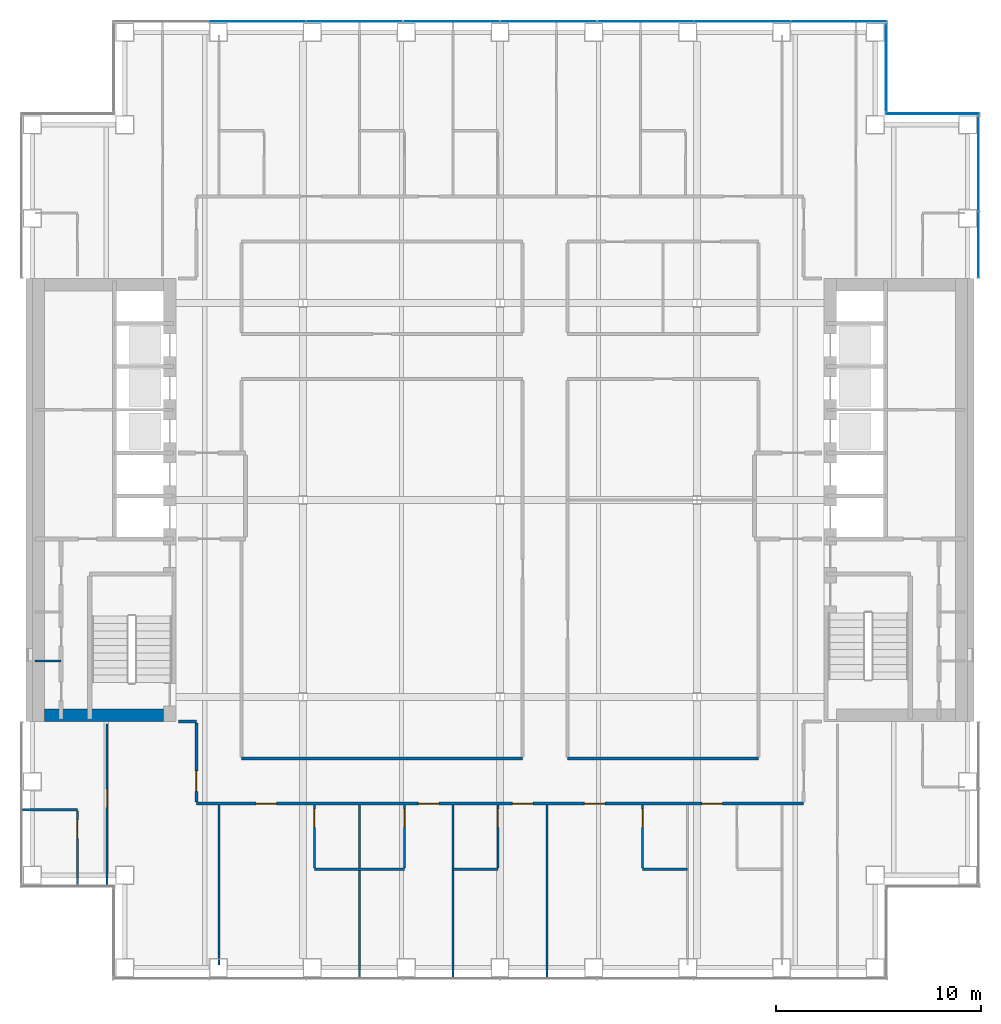
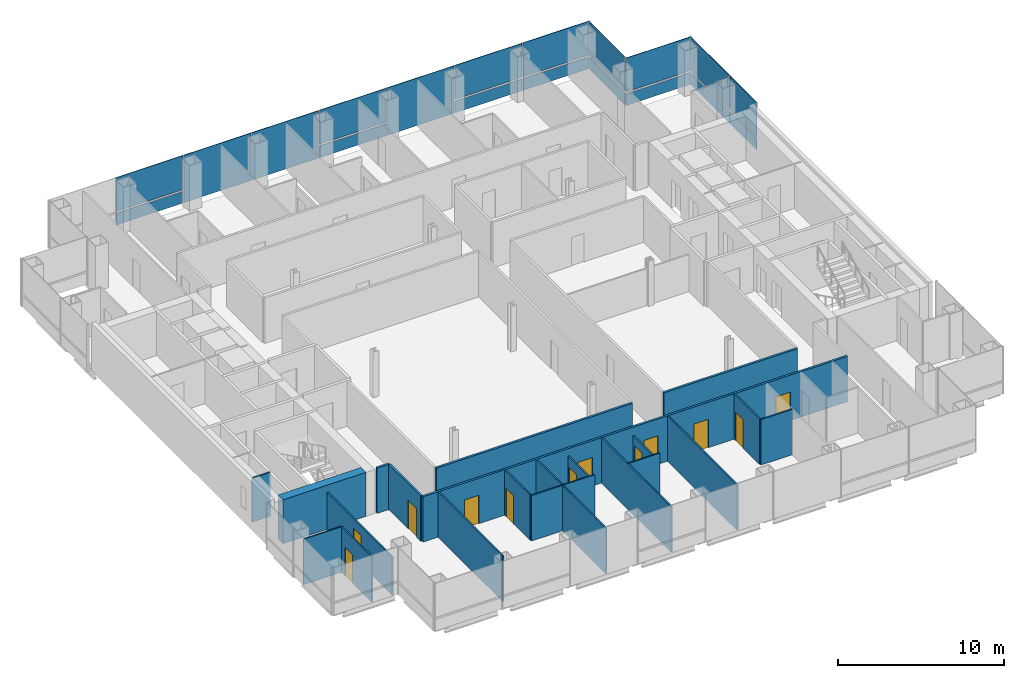
# One storey, part 10 of 16: 22 walls, 19 plates, 12 doors, 12 openings, 4 elements without a shape of their own.
"""IFC4 building model written with IfcOpenShell, lengths in metres."""

from ifc_helpers import new_model, si_unit, direction, frame, frame_2d, origin, origin_2d, place, context, subcontext, project, spatial, rectangle, extrude, material, layer, layer_set, type_object, element, fill, aggregate, save


model = new_model("IFC4")

# Units and contexts
model_context = context("Model", 3, precision=1e-05, world=origin(), true_north=direction((0.0, 1.0)))
body_context = subcontext(model_context, "Body", "Model", "MODEL_VIEW")
ifc_project = project(units=[si_unit("LENGTHUNIT", "METRE"), si_unit("AREAUNIT", "SQUARE_METRE"), si_unit("VOLUMEUNIT", "CUBIC_METRE"), si_unit("PLANEANGLEUNIT", "RADIAN"), si_unit("MASSUNIT", "GRAM", prefix="KILO")], contexts=[model_context])

# Site, building, storey
site_placement = place(None, origin())
site = spatial("IfcSite", under=ifc_project, at=site_placement, CompositionType="ELEMENT")
building_placement = place(site_placement, origin())
building = spatial("IfcBuilding", under=site, at=building_placement, Name="Cobrizo Arcos Hotel Tower", CompositionType="ELEMENT")
storey_placement = place(building_placement, frame((0.0, 0.0, 92.5)))
storey = spatial("IfcBuildingStorey", under=building, at=storey_placement, Name="L22", CompositionType="ELEMENT", Elevation=92.5)

# Curtain wall, plates
ifc_material_1 = material(Name="Aluminium 6063-T6 anodised bronze", Category="aluminium")
curtain_wall_type = type_object("IfcCurtainWallType", Name="CW-A guest facade", PredefinedType="NOTDEFINED", material=ifc_material_1)
curtain_wall_1_placement = place(storey_placement, origin())
curtain_wall_1 = element("IfcCurtainWall", 1, at=curtain_wall_1_placement, inside=storey, type_object=curtain_wall_type, Name="CW-A L22 E face", PredefinedType="NOTDEFINED")
ifc_material_2 = material(Name="Glass clear laminated low-e", Category="glass")
ifc_layer_1 = layer(ifc_material_2, 0.0400390625)
ifc_layer_set_1 = layer_set([ifc_layer_1], Name="CW-A glass panel")
plate_type_1 = type_object("IfcPlateType", Name="CW-A glass panel", PredefinedType="CURTAIN_PANEL", material=ifc_layer_set_1)
plate_1_placement = place(storey_placement, frame((23.324951171875, 12.4462890625, 0.990234375), z_axis=(0.0, 0.0, 1.0), x_axis=(0.0, 1.0, 0.0)))
plate_1 = element("IfcPlate", 2, at=plate_1_placement, type_object=plate_type_1, Name="CW-A glass panel 895", PredefinedType="CURTAIN_PANEL", context=body_context, shape_type="SweptSolid", body=[
    extrude(rectangle(XDim=3.172607421875, YDim=0.0400390625, at=origin_2d()), origin(), (0.0, 0.0, 1.0), 2.510009765625),
])
plate_2_placement = place(storey_placement, frame((23.324951171875, 16.391357421875, 0.990234375), z_axis=(0.0, 0.0, 1.0), x_axis=(0.0, 1.0, 0.0)))
plate_2 = element("IfcPlate", 3, at=plate_2_placement, type_object=plate_type_1, Name="CW-A glass panel 896", PredefinedType="CURTAIN_PANEL", context=body_context, shape_type="SweptSolid", body=[
    extrude(rectangle(XDim=4.597412109375, YDim=0.0400390625, at=origin_2d()), origin(), (0.0, 0.0, 1.0), 2.510009765625),
])

# Curtain wall, plate
curtain_wall_2_placement = place(storey_placement, origin())
curtain_wall_2 = element("IfcCurtainWall", 4, at=curtain_wall_2_placement, inside=storey, type_object=curtain_wall_type, Name="CW-A L22 N face", PredefinedType="NOTDEFINED")
plate_3_placement = place(storey_placement, frame((21.074951171875, 18.824951171875, 0.990234375), z_axis=(0.0, 0.0, 1.0), x_axis=(-1.0, 0.0, 0.0)))
plate_3 = element("IfcPlate", 5, at=plate_3_placement, type_object=plate_type_1, Name="CW-A glass panel 897", PredefinedType="CURTAIN_PANEL", context=body_context, shape_type="SweptSolid", body=[
    extrude(rectangle(XDim=4.530029296875, YDim=0.0400390625, at=origin_2d()), origin(), (0.0, 0.0, 1.0), 2.510009765625),
])

curtain_wall_3_placement = place(storey_placement, origin())
curtain_wall_3 = element("IfcCurtainWall", 6, at=curtain_wall_3_placement, inside=storey, type_object=curtain_wall_type, Name="CW-A L22 E face", PredefinedType="NOTDEFINED")
plate_4_placement = place(storey_placement, frame((18.824951171875, 21.074951171875, 0.990234375), z_axis=(0.0, 0.0, 1.0), x_axis=(0.0, 1.0, 0.0)))
plate_4 = element("IfcPlate", 7, at=plate_4_placement, type_object=plate_type_1, Name="CW-A glass panel 898", PredefinedType="CURTAIN_PANEL", context=body_context, shape_type="SweptSolid", body=[
    extrude(rectangle(XDim=4.22998046875, YDim=0.0400390625, at=origin_2d()), origin(), (0.0, 0.0, 1.0), 2.510009765625),
])

# Curtain wall, plates
curtain_wall_4_placement = place(storey_placement, origin())
curtain_wall_4 = element("IfcCurtainWall", 8, at=curtain_wall_4_placement, inside=storey, type_object=curtain_wall_type, Name="CW-A L22 N face", PredefinedType="NOTDEFINED")
plate_5_placement = place(storey_placement, frame((16.5224609375, 23.324951171875, 0.990234375), z_axis=(0.0, 0.0, 1.0), x_axis=(-1.0, 0.0, 0.0)))
plate_5 = element("IfcPlate", 9, at=plate_5_placement, type_object=plate_type_1, Name="CW-A glass panel 899", PredefinedType="CURTAIN_PANEL", context=body_context, shape_type="SweptSolid", body=[
    extrude(rectangle(XDim=4.635009765625, YDim=0.0400390625, at=origin_2d()), origin(), (0.0, 0.0, 1.0), 2.510009765625),
])
plate_6_placement = place(storey_placement, frame((11.8125, 23.324951171875, 0.990234375), z_axis=(0.0, 0.0, 1.0), x_axis=(-1.0, 0.0, 0.0)))
plate_6 = element("IfcPlate", 10, at=plate_6_placement, type_object=plate_type_1, Name="CW-A glass panel 900", PredefinedType="CURTAIN_PANEL", context=body_context, shape_type="SweptSolid", body=[
    extrude(rectangle(XDim=4.6650390625, YDim=0.0400390625, at=origin_2d()), origin(), (0.0, 0.0, 1.0), 2.510009765625),
])
plate_7_placement = place(storey_placement, frame((2.362548828125, 23.324951171875, 0.990234375), z_axis=(0.0, 0.0, 1.0), x_axis=(-1.0, 0.0, 0.0)))
plate_7 = element("IfcPlate", 11, at=plate_7_placement, type_object=plate_type_1, Name="CW-A glass panel 902", PredefinedType="CURTAIN_PANEL", context=body_context, shape_type="SweptSolid", body=[
    extrude(rectangle(XDim=4.6650390625, YDim=0.0400390625, at=origin_2d()), origin(), (0.0, 0.0, 1.0), 2.510009765625),
])
plate_8_placement = place(storey_placement, frame((-11.8125, 23.324951171875, 0.990234375), z_axis=(0.0, 0.0, 1.0), x_axis=(-1.0, 0.0, 0.0)))
plate_8 = element("IfcPlate", 12, at=plate_8_placement, type_object=plate_type_1, Name="CW-A glass panel 905", PredefinedType="CURTAIN_PANEL", context=body_context, shape_type="SweptSolid", body=[
    extrude(rectangle(XDim=4.6650390625, YDim=0.0400390625, at=origin_2d()), origin(), (0.0, 0.0, 1.0), 2.510009765625),
])

# Plate
ifc_material_3 = material(Name="Aluminium composite panel pale metal", Category="aluminium")
ifc_layer_2 = layer(ifc_material_3, 0.0400390625)
ifc_layer_set_2 = layer_set([ifc_layer_2], Name="CW-A spandrel panel")
plate_type_2 = type_object("IfcPlateType", Name="CW-A spandrel panel", PredefinedType="CURTAIN_PANEL", material=ifc_layer_set_2)
plate_9_placement = place(storey_placement, frame((23.324951171875, 12.4462890625, 0.0), z_axis=(0.0, 0.0, 1.0), x_axis=(0.0, 1.0, 0.0)))
plate_9 = element("IfcPlate", 13, at=plate_9_placement, type_object=plate_type_2, Name="CW-A spandrel panel 895", PredefinedType="CURTAIN_PANEL", context=body_context, shape_type="SweptSolid", body=[
    extrude(rectangle(XDim=3.172607421875, YDim=0.0400390625, at=origin_2d()), origin(), (0.0, 0.0, 1.0), 0.8701171875),
])

plate_10_placement = place(storey_placement, frame((23.324951171875, 16.391357421875, 0.0), z_axis=(0.0, 0.0, 1.0), x_axis=(0.0, 1.0, 0.0)))
plate_10 = element("IfcPlate", 14, at=plate_10_placement, type_object=plate_type_2, Name="CW-A spandrel panel 896", PredefinedType="CURTAIN_PANEL", context=body_context, shape_type="SweptSolid", body=[
    extrude(rectangle(XDim=4.597412109375, YDim=0.0400390625, at=origin_2d()), origin(), (0.0, 0.0, 1.0), 0.8701171875),
])

aggregate(curtain_wall_1, [plate_9, plate_1, plate_10, plate_2])

plate_11_placement = place(storey_placement, frame((21.074951171875, 18.824951171875, 0.0), z_axis=(0.0, 0.0, 1.0), x_axis=(-1.0, 0.0, 0.0)))
plate_11 = element("IfcPlate", 15, at=plate_11_placement, type_object=plate_type_2, Name="CW-A spandrel panel 897", PredefinedType="CURTAIN_PANEL", context=body_context, shape_type="SweptSolid", body=[
    extrude(rectangle(XDim=4.530029296875, YDim=0.0400390625, at=origin_2d()), origin(), (0.0, 0.0, 1.0), 0.8701171875),
])

aggregate(curtain_wall_2, [plate_11, plate_3])

plate_12_placement = place(storey_placement, frame((18.824951171875, 21.074951171875, 0.0), z_axis=(0.0, 0.0, 1.0), x_axis=(0.0, 1.0, 0.0)))
plate_12 = element("IfcPlate", 16, at=plate_12_placement, type_object=plate_type_2, Name="CW-A spandrel panel 898", PredefinedType="CURTAIN_PANEL", context=body_context, shape_type="SweptSolid", body=[
    extrude(rectangle(XDim=4.22998046875, YDim=0.0400390625, at=origin_2d()), origin(), (0.0, 0.0, 1.0), 0.8701171875),
])

aggregate(curtain_wall_3, [plate_12, plate_4])

plate_13_placement = place(storey_placement, frame((16.5224609375, 23.324951171875, 0.0), z_axis=(0.0, 0.0, 1.0), x_axis=(-1.0, 0.0, 0.0)))
plate_13 = element("IfcPlate", 17, at=plate_13_placement, type_object=plate_type_2, Name="CW-A spandrel panel 899", PredefinedType="CURTAIN_PANEL", context=body_context, shape_type="SweptSolid", body=[
    extrude(rectangle(XDim=4.635009765625, YDim=0.0400390625, at=origin_2d()), origin(), (0.0, 0.0, 1.0), 0.8701171875),
])

plate_14_placement = place(storey_placement, frame((11.8125, 23.324951171875, 0.0), z_axis=(0.0, 0.0, 1.0), x_axis=(-1.0, 0.0, 0.0)))
plate_14 = element("IfcPlate", 18, at=plate_14_placement, type_object=plate_type_2, Name="CW-A spandrel panel 900", PredefinedType="CURTAIN_PANEL", context=body_context, shape_type="SweptSolid", body=[
    extrude(rectangle(XDim=4.6650390625, YDim=0.0400390625, at=origin_2d()), origin(), (0.0, 0.0, 1.0), 0.8701171875),
])

plate_15_placement = place(storey_placement, frame((7.08740234375, 23.324951171875, 0.0), z_axis=(0.0, 0.0, 1.0), x_axis=(-1.0, 0.0, 0.0)))
plate_15 = element("IfcPlate", 19, at=plate_15_placement, type_object=plate_type_2, Name="CW-A spandrel panel 901", PredefinedType="CURTAIN_PANEL", context=body_context, shape_type="SweptSolid", body=[
    extrude(rectangle(XDim=4.6650390625, YDim=0.0400390625, at=origin_2d()), origin(), (0.0, 0.0, 1.0), 3.5),
])

plate_16_placement = place(storey_placement, frame((2.362548828125, 23.324951171875, 0.0), z_axis=(0.0, 0.0, 1.0), x_axis=(-1.0, 0.0, 0.0)))
plate_16 = element("IfcPlate", 20, at=plate_16_placement, type_object=plate_type_2, Name="CW-A spandrel panel 902", PredefinedType="CURTAIN_PANEL", context=body_context, shape_type="SweptSolid", body=[
    extrude(rectangle(XDim=4.6650390625, YDim=0.0400390625, at=origin_2d()), origin(), (0.0, 0.0, 1.0), 0.8701171875),
])

plate_17_placement = place(storey_placement, frame((-2.362548828125, 23.324951171875, 0.0), z_axis=(0.0, 0.0, 1.0), x_axis=(-1.0, 0.0, 0.0)))
plate_17 = element("IfcPlate", 21, at=plate_17_placement, type_object=plate_type_2, Name="CW-A spandrel panel 903", PredefinedType="CURTAIN_PANEL", context=body_context, shape_type="SweptSolid", body=[
    extrude(rectangle(XDim=4.6650390625, YDim=0.0400390625, at=origin_2d()), origin(), (0.0, 0.0, 1.0), 3.5),
])

plate_18_placement = place(storey_placement, frame((-7.08740234375, 23.324951171875, 0.0), z_axis=(0.0, 0.0, 1.0), x_axis=(-1.0, 0.0, 0.0)))
plate_18 = element("IfcPlate", 22, at=plate_18_placement, type_object=plate_type_2, Name="CW-A spandrel panel 904", PredefinedType="CURTAIN_PANEL", context=body_context, shape_type="SweptSolid", body=[
    extrude(rectangle(XDim=4.6650390625, YDim=0.0400390625, at=origin_2d()), origin(), (0.0, 0.0, 1.0), 3.5),
])

plate_19_placement = place(storey_placement, frame((-11.8125, 23.324951171875, 0.0), z_axis=(0.0, 0.0, 1.0), x_axis=(-1.0, 0.0, 0.0)))
plate_19 = element("IfcPlate", 23, at=plate_19_placement, type_object=plate_type_2, Name="CW-A spandrel panel 905", PredefinedType="CURTAIN_PANEL", context=body_context, shape_type="SweptSolid", body=[
    extrude(rectangle(XDim=4.6650390625, YDim=0.0400390625, at=origin_2d()), origin(), (0.0, 0.0, 1.0), 0.8701171875),
])

aggregate(curtain_wall_4, [plate_13, plate_5, plate_14, plate_6, plate_15, plate_16, plate_7, plate_17, plate_18, plate_19, plate_8])

# Wall, openings, doors
ifc_material_4 = material(Name="Gypsum board partition")
ifc_layer_3 = layer(ifc_material_4, 0.14990234375)
ifc_layer_set_3 = layer_set([ifc_layer_3], Name="Corridor wall EI 60 150")
wall_type_1 = type_object("IfcWallType", Name="Corridor wall EI 60 150", PredefinedType="PARTITIONING", material=ifc_layer_set_3)
wall_1_placement = place(storey_placement, frame((-14.800048828125, -14.800048828125, 0.0), z_axis=(0.0, 0.0, 1.0), x_axis=(1.0, 0.0, 0.0)))
wall_1 = element("IfcWall", 24, at=wall_1_placement, inside=storey, type_object=wall_type_1, Name="Partition 006", PredefinedType="PARTITIONING", context=body_context, shape_type="SweptSolid", body=[
    extrude(rectangle(XDim=29.60009765625, YDim=0.14990234375, at=frame_2d((14.800048828125, 0.0))), origin(), (0.0, 0.0, 1.0), 3.35009765625),
])
opening_1_placement = place(wall_1_placement, frame((2.906982421875, 0.0, 0.0)))
opening_1 = element("IfcOpeningElement", 25, at=opening_1_placement, cuts=wall_1, Name="Opening GD-05", PredefinedType="OPENING", context=body_context, shape_type="SweptSolid", body=[
    extrude(rectangle(XDim=1.0, YDim=2.10009765625, at=frame_2d((0.5, 1.050048828125))), frame((0.0, 0.0869140625, 0.0), z_axis=(0.0, -1.0, 0.0), x_axis=(1.0, 0.0, 0.0)), (0.0, 0.0, 1.0), 0.173828125),
])
opening_2_placement = place(wall_1_placement, frame((10.825927734375, 0.0, 0.0)))
opening_2 = element("IfcOpeningElement", 26, at=opening_2_placement, cuts=wall_1, Name="Opening GD-06", PredefinedType="OPENING", context=body_context, shape_type="SweptSolid", body=[
    extrude(rectangle(XDim=1.0, YDim=2.10009765625, at=frame_2d((0.5, 1.050048828125))), frame((0.0, 0.0869140625, 0.0), z_axis=(0.0, -1.0, 0.0), x_axis=(1.0, 0.0, 0.0)), (0.0, 0.0, 1.0), 0.173828125),
])
opening_3_placement = place(wall_1_placement, frame((15.40087890625, 0.0, 0.0)))
opening_3 = element("IfcOpeningElement", 27, at=opening_3_placement, cuts=wall_1, Name="Opening GD-07", PredefinedType="OPENING", context=body_context, shape_type="SweptSolid", body=[
    extrude(rectangle(XDim=1.0, YDim=2.10009765625, at=frame_2d((0.5, 1.050048828125))), frame((0.0, 0.0869140625, 0.0), z_axis=(0.0, -1.0, 0.0), x_axis=(1.0, 0.0, 0.0)), (0.0, 0.0, 1.0), 0.173828125),
])
opening_4_placement = place(wall_1_placement, frame((18.9189453125, 0.0, 0.0)))
opening_4 = element("IfcOpeningElement", 28, at=opening_4_placement, cuts=wall_1, Name="Opening GD-08", PredefinedType="OPENING", context=body_context, shape_type="SweptSolid", body=[
    extrude(rectangle(XDim=1.0, YDim=2.10009765625, at=frame_2d((0.5, 1.050048828125))), frame((0.0, 0.0869140625, 0.0), z_axis=(0.0, -1.0, 0.0), x_axis=(1.0, 0.0, 0.0)), (0.0, 0.0, 1.0), 0.173828125),
])
opening_5_placement = place(wall_1_placement, frame((24.637939453125, 0.0, 0.0)))
opening_5 = element("IfcOpeningElement", 29, at=opening_5_placement, cuts=wall_1, Name="Opening GD-09", PredefinedType="OPENING", context=body_context, shape_type="SweptSolid", body=[
    extrude(rectangle(XDim=1.0, YDim=2.10009765625, at=frame_2d((0.5, 1.050048828125))), frame((0.0, 0.0869140625, 0.0), z_axis=(0.0, -1.0, 0.0), x_axis=(1.0, 0.0, 0.0)), (0.0, 0.0, 1.0), 0.173828125),
])
ifc_material_5 = material(Name="Timber door leaf", Category="wood")
door_type_1 = type_object("IfcDoorType", Name="Guest room door FD30S 1000x2100", OperationType="SINGLE_SWING_LEFT", PredefinedType="DOOR", material=ifc_material_5)
door_1_placement = place(opening_1_placement, origin())
door_1 = element("IfcDoor", 30, at=door_1_placement, inside=storey, type_object=door_type_1, Name="Door GD-05", OperationType="SINGLE_SWING_LEFT", OverallHeight=2.10009765625, OverallWidth=1.0, PredefinedType="DOOR", context=body_context, shape_type="SweptSolid", body=[
    extrude(rectangle(XDim=1.0, YDim=2.10009765625, at=frame_2d((0.5, 1.050048828125))), frame((0.0, 0.02490234375, 0.0), z_axis=(0.0, -1.0, 0.0), x_axis=(1.0, 0.0, 0.0)), (0.0, 0.0, 1.0), 0.050048828125),
])
fill(opening_1, door_1)
door_2_placement = place(opening_2_placement, origin())
door_2 = element("IfcDoor", 31, at=door_2_placement, inside=storey, type_object=door_type_1, Name="Door GD-06", OperationType="SINGLE_SWING_LEFT", OverallHeight=2.10009765625, OverallWidth=1.0, PredefinedType="DOOR", context=body_context, shape_type="SweptSolid", body=[
    extrude(rectangle(XDim=1.0, YDim=2.10009765625, at=frame_2d((0.5, 1.050048828125))), frame((0.0, 0.02490234375, 0.0), z_axis=(0.0, -1.0, 0.0), x_axis=(1.0, 0.0, 0.0)), (0.0, 0.0, 1.0), 0.050048828125),
])
fill(opening_2, door_2)
door_3_placement = place(opening_3_placement, origin())
door_3 = element("IfcDoor", 32, at=door_3_placement, inside=storey, type_object=door_type_1, Name="Door GD-07", OperationType="SINGLE_SWING_LEFT", OverallHeight=2.10009765625, OverallWidth=1.0, PredefinedType="DOOR", context=body_context, shape_type="SweptSolid", body=[
    extrude(rectangle(XDim=1.0, YDim=2.10009765625, at=frame_2d((0.5, 1.050048828125))), frame((0.0, 0.02490234375, 0.0), z_axis=(0.0, -1.0, 0.0), x_axis=(1.0, 0.0, 0.0)), (0.0, 0.0, 1.0), 0.050048828125),
])
fill(opening_3, door_3)
door_4_placement = place(opening_4_placement, origin())
door_4 = element("IfcDoor", 33, at=door_4_placement, inside=storey, type_object=door_type_1, Name="Door GD-08", OperationType="SINGLE_SWING_LEFT", OverallHeight=2.10009765625, OverallWidth=1.0, PredefinedType="DOOR", context=body_context, shape_type="SweptSolid", body=[
    extrude(rectangle(XDim=1.0, YDim=2.10009765625, at=frame_2d((0.5, 1.050048828125))), frame((0.0, 0.02490234375, 0.0), z_axis=(0.0, -1.0, 0.0), x_axis=(1.0, 0.0, 0.0)), (0.0, 0.0, 1.0), 0.050048828125),
])
fill(opening_4, door_4)
door_5_placement = place(opening_5_placement, origin())
door_5 = element("IfcDoor", 34, at=door_5_placement, inside=storey, type_object=door_type_1, Name="Door GD-09", OperationType="SINGLE_SWING_LEFT", OverallHeight=2.10009765625, OverallWidth=1.0, PredefinedType="DOOR", context=body_context, shape_type="SweptSolid", body=[
    extrude(rectangle(XDim=1.0, YDim=2.10009765625, at=frame_2d((0.5, 1.050048828125))), frame((0.0, 0.02490234375, 0.0), z_axis=(0.0, -1.0, 0.0), x_axis=(1.0, 0.0, 0.0)), (0.0, 0.0, 1.0), 0.050048828125),
])
fill(opening_5, door_5)

# Walls
wall_2_placement = place(storey_placement, frame((-12.60009765625, -12.60009765625, 0.0), z_axis=(0.0, 0.0, 1.0), x_axis=(1.0, 0.0, 0.0)))
element("IfcWall", 35, at=wall_2_placement, inside=storey, type_object=wall_type_1, Name="Partition 008", PredefinedType="PARTITIONING", context=body_context, shape_type="SweptSolid", body=[
    extrude(rectangle(XDim=13.7001953125, YDim=0.14990234375, at=frame_2d((6.85009765625, 0.0))), origin(), (0.0, 0.0, 1.0), 3.35009765625),
])
wall_3_placement = place(storey_placement, frame((3.300048828125, -12.60009765625, 0.0), z_axis=(0.0, 0.0, 1.0), x_axis=(1.0, 0.0, 0.0)))
element("IfcWall", 36, at=wall_3_placement, inside=storey, type_object=wall_type_1, Name="Partition 009", PredefinedType="PARTITIONING", context=body_context, shape_type="SweptSolid", body=[
    extrude(rectangle(XDim=9.300048828125, YDim=0.14990234375, at=frame_2d((4.64990234375, 0.0))), origin(), (0.0, 0.0, 1.0), 3.35009765625),
])
wall_4_placement = place(storey_placement, frame((-15.679931640625, -10.800048828125, 0.0), z_axis=(0.0, 0.0, 1.0), x_axis=(1.0, 0.0, 0.0)))
element("IfcWall", 37, at=wall_4_placement, inside=storey, type_object=wall_type_1, Name="Partition 010", PredefinedType="PARTITIONING", context=body_context, shape_type="SweptSolid", body=[
    extrude(rectangle(XDim=0.8798828125, YDim=0.14990234375, at=frame_2d((0.43994140625, 0.0))), origin(), (0.0, 0.0, 1.0), 3.35009765625),
])

# Wall, opening, door
wall_5_placement = place(storey_placement, frame((-14.800048828125, -14.72509765625, 0.0), z_axis=(0.0, 0.0, 1.0), x_axis=(0.0, 1.0, 0.0)))
wall_5 = element("IfcWall", 38, at=wall_5_placement, inside=storey, type_object=wall_type_1, Name="Partition 060", PredefinedType="PARTITIONING", context=body_context, shape_type="SweptSolid", body=[
    extrude(rectangle(XDim=3.85009765625, YDim=0.14990234375, at=frame_2d((1.925048828125, 0.0))), origin(), (0.0, 0.0, 1.0), 3.35009765625),
])
opening_6_placement = place(wall_5_placement, frame((0.52490234375, 0.0, 0.0)))
opening_6 = element("IfcOpeningElement", 39, at=opening_6_placement, cuts=wall_5, Name="Opening GD-10", PredefinedType="OPENING", context=body_context, shape_type="SweptSolid", body=[
    extrude(rectangle(XDim=1.0, YDim=2.10009765625, at=frame_2d((0.5, 1.050048828125))), frame((0.0, 0.0869140625, 0.0), z_axis=(0.0, -1.0, 0.0), x_axis=(1.0, 0.0, 0.0)), (0.0, 0.0, 1.0), 0.173828125),
])
door_6_placement = place(opening_6_placement, origin())
door_6 = element("IfcDoor", 40, at=door_6_placement, inside=storey, type_object=door_type_1, Name="Door GD-10", OperationType="SINGLE_SWING_RIGHT", OverallHeight=2.10009765625, OverallWidth=1.0, PredefinedType="DOOR", context=body_context, shape_type="SweptSolid", body=[
    extrude(rectangle(XDim=1.0, YDim=2.10009765625, at=frame_2d((0.5, 1.050048828125))), frame((0.0, 0.02490234375, 0.0), z_axis=(0.0, -1.0, 0.0), x_axis=(1.0, 0.0, 0.0)), (0.0, 0.0, 1.0), 0.050048828125),
])
fill(opening_6, door_6)

# Walls
ifc_layer_4 = layer(ifc_material_4, 0.10009765625)
ifc_layer_set_4 = layer_set([ifc_layer_4], Name="Partition EI 30 100")
wall_type_2 = type_object("IfcWallType", Name="Partition EI 30 100", PredefinedType="PARTITIONING", material=ifc_layer_set_4)
wall_6_placement = place(storey_placement, frame((-9.050048828125, -18.0, 0.0), z_axis=(0.0, 0.0, 1.0), x_axis=(1.0, 0.0, 0.0)))
element("IfcWall", 41, at=wall_6_placement, inside=storey, type_object=wall_type_2, Name="Partition 001", PredefinedType="PARTITIONING", context=body_context, shape_type="SweptSolid", body=[
    extrude(rectangle(XDim=4.400146484375, YDim=0.10009765625, at=frame_2d((2.2001953125, 0.0))), origin(), (0.0, 0.0, 1.0), 3.35009765625),
])
for number, where, z_axis, x_axis, name in (
    (42, (-2.300048828125, -18.0, 0.0), (0.0, 0.0, 1.0), (1.0, 0.0, 0.0), "Partition 002"),
    (43, (6.949951171875, -18.0, 0.0), (0.0, 0.0, 1.0), (1.0, 0.0, 0.0), "Partition 003"),
):
    element("IfcWall", number, at=place(storey_placement, frame(where, z_axis=z_axis, x_axis=x_axis)), inside=storey, type_object=wall_type_2, Name=name, PredefinedType="PARTITIONING", context=body_context, shape_type="SweptSolid", body=[
        extrude(rectangle(XDim=2.199951171875, YDim=0.10009765625, at=frame_2d((1.10009765625, 0.0))), origin(), (0.0, 0.0, 1.0), 3.35009765625),
    ])
wall_7_placement = place(storey_placement, frame((-23.280029296875, -15.10009765625, 0.0), z_axis=(0.0, 0.0, 1.0), x_axis=(1.0, 0.0, 0.0)))
element("IfcWall", 44, at=wall_7_placement, inside=storey, type_object=wall_type_2, Name="Partition 005", PredefinedType="PARTITIONING", context=body_context, shape_type="SweptSolid", body=[
    extrude(rectangle(XDim=2.679931640625, YDim=0.10009765625, at=frame_2d((1.33984375, 0.0))), origin(), (0.0, 0.0, 1.0), 3.35009765625),
])
wall_8_placement = place(storey_placement, frame((-22.679931640625, -7.85009765625, 0.0), z_axis=(0.0, 0.0, 1.0), x_axis=(1.0, 0.0, 0.0)))
element("IfcWall", 45, at=wall_8_placement, inside=storey, type_object=wall_type_2, Name="Partition 012", PredefinedType="PARTITIONING", context=body_context, shape_type="SweptSolid", body=[
    extrude(rectangle(XDim=1.280029296875, YDim=0.10009765625, at=frame_2d((0.64013671875, 0.0))), origin(), (0.0, 0.0, 1.0), 3.25),
])

# Wall, opening, door
wall_9_placement = place(storey_placement, frame((-20.60009765625, -18.780029296875, 0.0), z_axis=(0.0, 0.0, 1.0), x_axis=(0.0, 1.0, 0.0)))
wall_9 = element("IfcWall", 46, at=wall_9_placement, inside=storey, type_object=wall_type_2, Name="Partition 053", PredefinedType="PARTITIONING", context=body_context, shape_type="SweptSolid", body=[
    extrude(rectangle(XDim=3.630126953125, YDim=0.10009765625, at=frame_2d((1.81494140625, 0.0))), origin(), (0.0, 0.0, 1.0), 3.35009765625),
])
opening_7_placement = place(wall_9_placement, frame((2.27001953125, 0.0, 0.0)))
opening_7 = element("IfcOpeningElement", 47, at=opening_7_placement, cuts=wall_9, Name="Opening ED-10", PredefinedType="OPENING", context=body_context, shape_type="SweptSolid", body=[
    extrude(rectangle(XDim=0.89990234375, YDim=2.10009765625, at=frame_2d((0.449951171875, 1.050048828125))), frame((0.0, 0.06201171875, 0.0), z_axis=(0.0, -1.0, 0.0), x_axis=(1.0, 0.0, 0.0)), (0.0, 0.0, 1.0), 0.1240234375),
])
door_type_2 = type_object("IfcDoorType", Name="En-suite door 900x2100", OperationType="SINGLE_SWING_LEFT", PredefinedType="DOOR", material=ifc_material_5)
door_7_placement = place(opening_7_placement, origin())
door_7 = element("IfcDoor", 48, at=door_7_placement, inside=storey, type_object=door_type_2, Name="Door ED-10", OperationType="SINGLE_SWING_LEFT", OverallHeight=2.10009765625, OverallWidth=0.89990234375, PredefinedType="DOOR", context=body_context, shape_type="SweptSolid", body=[
    extrude(rectangle(XDim=0.89990234375, YDim=2.10009765625, at=frame_2d((0.449951171875, 1.050048828125))), frame((0.0, 0.02490234375, 0.0), z_axis=(0.0, -1.0, 0.0), x_axis=(1.0, 0.0, 0.0)), (0.0, 0.0, 1.0), 0.050048828125),
])
fill(opening_7, door_7)

wall_10_placement = place(storey_placement, frame((-19.14990234375, -18.780029296875, 0.0), z_axis=(0.0, 0.0, 1.0), x_axis=(0.0, 1.0, 0.0)))
wall_10 = element("IfcWall", 49, at=wall_10_placement, inside=storey, type_object=wall_type_2, Name="Partition 056", PredefinedType="PARTITIONING", context=body_context, shape_type="SweptSolid", body=[
    extrude(rectangle(XDim=7.860107421875, YDim=0.10009765625, at=frame_2d((3.93017578125, 0.0))), origin(), (0.0, 0.0, 1.0), 2.81689453125),
])
opening_8_placement = place(wall_10_placement, frame((3.780029296875, 0.0, 0.0)))
opening_8 = element("IfcOpeningElement", 50, at=opening_8_placement, cuts=wall_10, Name="Opening RD-12", PredefinedType="OPENING", context=body_context, shape_type="SweptSolid", body=[
    extrude(rectangle(XDim=0.89990234375, YDim=2.10009765625, at=frame_2d((0.449951171875, 1.050048828125))), frame((0.0, 0.06201171875, 0.0), z_axis=(0.0, -1.0, 0.0), x_axis=(1.0, 0.0, 0.0)), (0.0, 0.0, 1.0), 0.1240234375),
])
door_type_3 = type_object("IfcDoorType", Name="Room door FD30 900x2100", OperationType="SINGLE_SWING_LEFT", PredefinedType="DOOR", material=ifc_material_5)
door_8_placement = place(opening_8_placement, origin())
door_8 = element("IfcDoor", 51, at=door_8_placement, inside=storey, type_object=door_type_3, Name="Door RD-12", OperationType="SINGLE_SWING_LEFT", OverallHeight=2.10009765625, OverallWidth=0.89990234375, PredefinedType="DOOR", context=body_context, shape_type="SweptSolid", body=[
    extrude(rectangle(XDim=0.89990234375, YDim=2.10009765625, at=frame_2d((0.449951171875, 1.050048828125))), frame((0.0, 0.02490234375, 0.0), z_axis=(0.0, -1.0, 0.0), x_axis=(1.0, 0.0, 0.0)), (0.0, 0.0, 1.0), 0.050048828125),
])
fill(opening_8, door_8)

# Wall
wall_11_placement = place(storey_placement, frame((-13.699951171875, -22.679931640625, 0.0), z_axis=(0.0, 0.0, 1.0), x_axis=(0.0, 1.0, 0.0)))
element("IfcWall", 52, at=wall_11_placement, inside=storey, type_object=wall_type_2, Name="Partition 062", PredefinedType="PARTITIONING", context=body_context, shape_type="SweptSolid", body=[
    extrude(rectangle(XDim=7.804931640625, YDim=0.10009765625, at=frame_2d((3.90234375, 0.0))), origin(), (0.0, 0.0, 1.0), 3.35009765625),
])

# Wall, opening, door
wall_12_placement = place(storey_placement, frame((-9.050048828125, -17.949951171875, 0.0), z_axis=(0.0, 0.0, 1.0), x_axis=(0.0, 1.0, 0.0)))
wall_12 = element("IfcWall", 53, at=wall_12_placement, inside=storey, type_object=wall_type_2, Name="Partition 069", PredefinedType="PARTITIONING", context=body_context, shape_type="SweptSolid", body=[
    extrude(rectangle(XDim=3.074951171875, YDim=0.10009765625, at=frame_2d((1.53759765625, 0.0))), origin(), (0.0, 0.0, 1.0), 3.35009765625),
])
opening_9_placement = place(wall_12_placement, frame((1.99609375, 0.0, 0.0)))
opening_9 = element("IfcOpeningElement", 54, at=opening_9_placement, cuts=wall_12, Name="Opening ED-05", PredefinedType="OPENING", context=body_context, shape_type="SweptSolid", body=[
    extrude(rectangle(XDim=0.89990234375, YDim=2.10009765625, at=frame_2d((0.449951171875, 1.050048828125))), frame((0.0, 0.06201171875, 0.0), z_axis=(0.0, -1.0, 0.0), x_axis=(1.0, 0.0, 0.0)), (0.0, 0.0, 1.0), 0.1240234375),
])
door_9_placement = place(opening_9_placement, origin())
door_9 = element("IfcDoor", 55, at=door_9_placement, inside=storey, type_object=door_type_2, Name="Door ED-05", OperationType="SINGLE_SWING_RIGHT", OverallHeight=2.10009765625, OverallWidth=0.89990234375, PredefinedType="DOOR", context=body_context, shape_type="SweptSolid", body=[
    extrude(rectangle(XDim=0.89990234375, YDim=2.10009765625, at=frame_2d((0.449951171875, 1.050048828125))), frame((0.0, 0.02490234375, 0.0), z_axis=(0.0, -1.0, 0.0), x_axis=(1.0, 0.0, 0.0)), (0.0, 0.0, 1.0), 0.050048828125),
])
fill(opening_9, door_9)

# Walls
wall_13_placement = place(storey_placement, frame((-6.85009765625, -23.280029296875, 0.0), z_axis=(0.0, 0.0, 1.0), x_axis=(0.0, 1.0, 0.0)))
element("IfcWall", 56, at=wall_13_placement, inside=storey, type_object=wall_type_2, Name="Partition 070", PredefinedType="PARTITIONING", context=body_context, shape_type="SweptSolid", body=[
    extrude(rectangle(XDim=5.22998046875, YDim=0.10009765625, at=frame_2d((2.614990234375, 0.0))), origin(), (0.0, 0.0, 1.0), 3.35009765625),
])
wall_14_placement = place(storey_placement, frame((-6.85009765625, -17.949951171875, 0.0), z_axis=(0.0, 0.0, 1.0), x_axis=(0.0, 1.0, 0.0)))
element("IfcWall", 57, at=wall_14_placement, inside=storey, type_object=wall_type_2, Name="Partition 071", PredefinedType="PARTITIONING", context=body_context, shape_type="SweptSolid", body=[
    extrude(rectangle(XDim=3.074951171875, YDim=0.10009765625, at=frame_2d((1.53759765625, 0.0))), origin(), (0.0, 0.0, 1.0), 3.35009765625),
])

# Wall, opening, door
wall_15_placement = place(storey_placement, frame((-4.64990234375, -17.949951171875, 0.0), z_axis=(0.0, 0.0, 1.0), x_axis=(0.0, 1.0, 0.0)))
wall_15 = element("IfcWall", 58, at=wall_15_placement, inside=storey, type_object=wall_type_2, Name="Partition 073", PredefinedType="PARTITIONING", context=body_context, shape_type="SweptSolid", body=[
    extrude(rectangle(XDim=3.074951171875, YDim=0.10009765625, at=frame_2d((1.53759765625, 0.0))), origin(), (0.0, 0.0, 1.0), 2.81689453125),
])
opening_10_placement = place(wall_15_placement, frame((1.99609375, 0.0, 0.0)))
opening_10 = element("IfcOpeningElement", 59, at=opening_10_placement, cuts=wall_15, Name="Opening ED-06", PredefinedType="OPENING", context=body_context, shape_type="SweptSolid", body=[
    extrude(rectangle(XDim=0.89990234375, YDim=2.10009765625, at=frame_2d((0.449951171875, 1.050048828125))), frame((0.0, 0.06201171875, 0.0), z_axis=(0.0, -1.0, 0.0), x_axis=(1.0, 0.0, 0.0)), (0.0, 0.0, 1.0), 0.1240234375),
])
door_10_placement = place(opening_10_placement, origin())
door_10 = element("IfcDoor", 60, at=door_10_placement, inside=storey, type_object=door_type_2, Name="Door ED-06", OperationType="SINGLE_SWING_RIGHT", OverallHeight=2.10009765625, OverallWidth=0.89990234375, PredefinedType="DOOR", context=body_context, shape_type="SweptSolid", body=[
    extrude(rectangle(XDim=0.89990234375, YDim=2.10009765625, at=frame_2d((0.449951171875, 1.050048828125))), frame((0.0, 0.02490234375, 0.0), z_axis=(0.0, -1.0, 0.0), x_axis=(1.0, 0.0, 0.0)), (0.0, 0.0, 1.0), 0.050048828125),
])
fill(opening_10, door_10)

# Wall
wall_16_placement = place(storey_placement, frame((-2.300048828125, -23.280029296875, 0.0), z_axis=(0.0, 0.0, 1.0), x_axis=(0.0, 1.0, 0.0)))
element("IfcWall", 61, at=wall_16_placement, inside=storey, type_object=wall_type_2, Name="Partition 075", PredefinedType="PARTITIONING", context=body_context, shape_type="SweptSolid", body=[
    extrude(rectangle(XDim=8.405029296875, YDim=0.10009765625, at=frame_2d((4.20263671875, 0.0))), origin(), (0.0, 0.0, 1.0), 3.35009765625),
])

# Wall, opening, door
wall_17_placement = place(storey_placement, frame((-0.10009765625, -17.949951171875, 0.0), z_axis=(0.0, 0.0, 1.0), x_axis=(0.0, 1.0, 0.0)))
wall_17 = element("IfcWall", 62, at=wall_17_placement, inside=storey, type_object=wall_type_2, Name="Partition 077", PredefinedType="PARTITIONING", context=body_context, shape_type="SweptSolid", body=[
    extrude(rectangle(XDim=3.074951171875, YDim=0.10009765625, at=frame_2d((1.53759765625, 0.0))), origin(), (0.0, 0.0, 1.0), 2.72802734375),
])
opening_11_placement = place(wall_17_placement, frame((1.99609375, 0.0, 0.0)))
opening_11 = element("IfcOpeningElement", 63, at=opening_11_placement, cuts=wall_17, Name="Opening ED-07", PredefinedType="OPENING", context=body_context, shape_type="SweptSolid", body=[
    extrude(rectangle(XDim=0.89990234375, YDim=2.10009765625, at=frame_2d((0.449951171875, 1.050048828125))), frame((0.0, 0.06201171875, 0.0), z_axis=(0.0, -1.0, 0.0), x_axis=(1.0, 0.0, 0.0)), (0.0, 0.0, 1.0), 0.1240234375),
])
door_11_placement = place(opening_11_placement, origin())
door_11 = element("IfcDoor", 64, at=door_11_placement, inside=storey, type_object=door_type_2, Name="Door ED-07", OperationType="SINGLE_SWING_RIGHT", OverallHeight=2.10009765625, OverallWidth=0.89990234375, PredefinedType="DOOR", context=body_context, shape_type="SweptSolid", body=[
    extrude(rectangle(XDim=0.89990234375, YDim=2.10009765625, at=frame_2d((0.449951171875, 1.050048828125))), frame((0.0, 0.02490234375, 0.0), z_axis=(0.0, -1.0, 0.0), x_axis=(1.0, 0.0, 0.0)), (0.0, 0.0, 1.0), 0.050048828125),
])
fill(opening_11, door_11)

# Wall
wall_18_placement = place(storey_placement, frame((2.300048828125, -23.280029296875, 0.0), z_axis=(0.0, 0.0, 1.0), x_axis=(0.0, 1.0, 0.0)))
element("IfcWall", 65, at=wall_18_placement, inside=storey, type_object=wall_type_2, Name="Partition 081", PredefinedType="PARTITIONING", context=body_context, shape_type="SweptSolid", body=[
    extrude(rectangle(XDim=8.405029296875, YDim=0.10009765625, at=frame_2d((4.20263671875, 0.0))), origin(), (0.0, 0.0, 1.0), 3.35009765625),
])

# Wall, opening, door
wall_19_placement = place(storey_placement, frame((6.949951171875, -17.949951171875, 0.0), z_axis=(0.0, 0.0, 1.0), x_axis=(0.0, 1.0, 0.0)))
wall_19 = element("IfcWall", 66, at=wall_19_placement, inside=storey, type_object=wall_type_2, Name="Partition 086", PredefinedType="PARTITIONING", context=body_context, shape_type="SweptSolid", body=[
    extrude(rectangle(XDim=3.074951171875, YDim=0.10009765625, at=frame_2d((1.53759765625, 0.0))), origin(), (0.0, 0.0, 1.0), 3.35009765625),
])
opening_12_placement = place(wall_19_placement, frame((1.99609375, 0.0, 0.0)))
opening_12 = element("IfcOpeningElement", 67, at=opening_12_placement, cuts=wall_19, Name="Opening ED-08", PredefinedType="OPENING", context=body_context, shape_type="SweptSolid", body=[
    extrude(rectangle(XDim=0.89990234375, YDim=2.10009765625, at=frame_2d((0.449951171875, 1.050048828125))), frame((0.0, 0.06201171875, 0.0), z_axis=(0.0, -1.0, 0.0), x_axis=(1.0, 0.0, 0.0)), (0.0, 0.0, 1.0), 0.1240234375),
])
door_12_placement = place(opening_12_placement, origin())
door_12 = element("IfcDoor", 68, at=door_12_placement, inside=storey, type_object=door_type_2, Name="Door ED-08", OperationType="SINGLE_SWING_RIGHT", OverallHeight=2.10009765625, OverallWidth=0.89990234375, PredefinedType="DOOR", context=body_context, shape_type="SweptSolid", body=[
    extrude(rectangle(XDim=0.89990234375, YDim=2.10009765625, at=frame_2d((0.449951171875, 1.050048828125))), frame((0.0, 0.02490234375, 0.0), z_axis=(0.0, -1.0, 0.0), x_axis=(1.0, 0.0, 0.0)), (0.0, 0.0, 1.0), 0.050048828125),
])
fill(opening_12, door_12)

# Wall
ifc_material_6 = material(Name="Concrete f'c 50 MPa", Category="concrete")
ifc_layer_5 = layer(ifc_material_6, 0.60009765625)
ifc_layer_set_5 = layer_set([ifc_layer_5], Name="RC core wall 600 f'c 50")
wall_type_3 = type_object("IfcWallType", Name="RC core wall 600 f'c 50", PredefinedType="SHEAR", material=ifc_layer_set_5)
wall_20_placement = place(storey_placement, frame((-22.199951171875, -10.5, 0.0), z_axis=(0.0, 0.0, 1.0), x_axis=(1.0, 0.0, 0.0)))
element("IfcWall", 69, at=wall_20_placement, inside=storey, type_object=wall_type_3, Name="Core wall CW2, west core, south end, L22", PredefinedType="SHEAR", context=body_context, shape_type="SweptSolid", body=[
    extrude(rectangle(XDim=5.800048828125, YDim=0.60009765625, at=frame_2d((2.89990234375, 0.0))), origin(), (0.0, 0.0, 1.0), 3.25),
])

save(model, "model.ifc")
